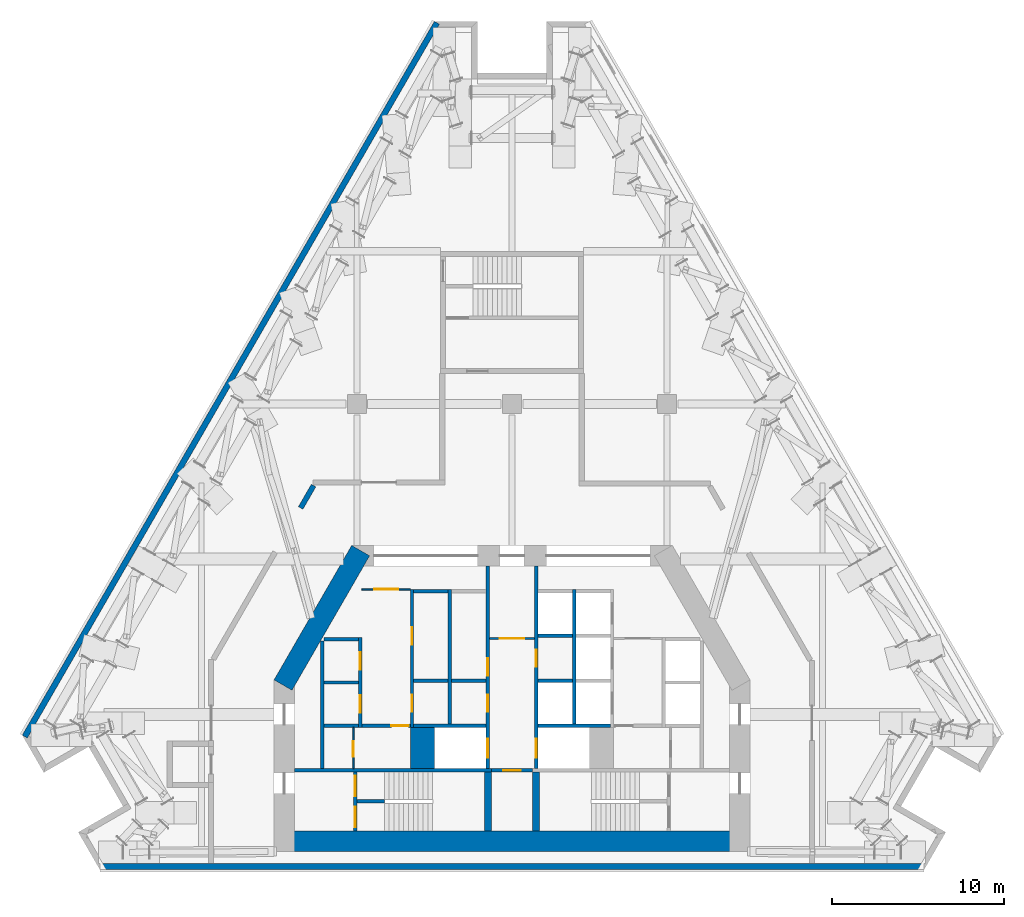
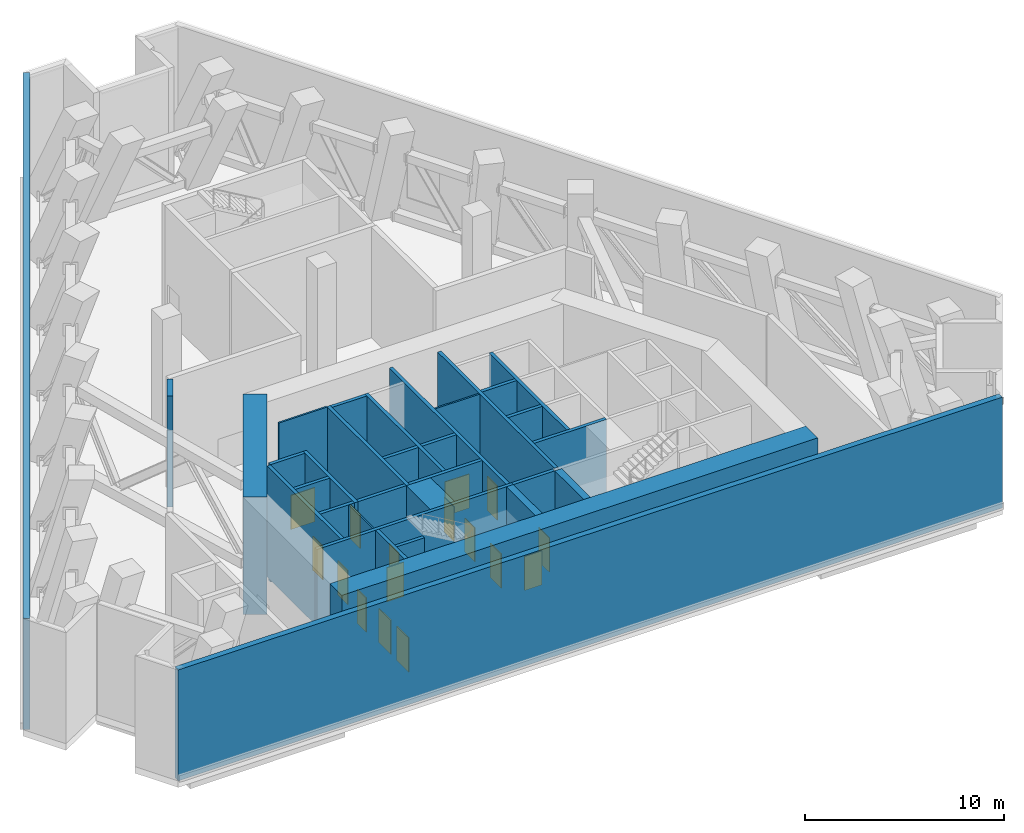
# One storey, part 6 of 13: 33 walls, 16 doors, 16 openings.
"""IFC4 building model written with IfcOpenShell, lengths in metres."""

from ifc_helpers import new_model, si_unit, direction, frame, frame_2d, origin, place, context, subcontext, project, spatial, rectangle, extrude, material, layer, layer_set, type_object, element, fill, save


model = new_model("IFC4")

# Units and contexts
model_context = context("Model", 3, precision=1e-05, world=origin(), true_north=direction((0.0, 1.0)))
body_context = subcontext(model_context, "Body", "Model", "MODEL_VIEW")
ifc_project = project(units=[si_unit("LENGTHUNIT", "METRE"), si_unit("AREAUNIT", "SQUARE_METRE"), si_unit("VOLUMEUNIT", "CUBIC_METRE"), si_unit("PLANEANGLEUNIT", "RADIAN"), si_unit("MASSUNIT", "GRAM", prefix="KILO")], contexts=[model_context])

# Site, building, storey
site_placement = place(None, origin())
site = spatial("IfcSite", under=ifc_project, at=site_placement, CompositionType="ELEMENT")
building_placement = place(site_placement, origin())
building = spatial("IfcBuilding", under=site, at=building_placement, Name="Fogline Exchange Tower", CompositionType="ELEMENT")
storey_placement = place(building_placement, frame((0.0, 0.0, 174.89990234375)))
storey = spatial("IfcBuildingStorey", under=building, at=storey_placement, Name="L39", CompositionType="ELEMENT", Elevation=174.89990234375)

# Wall, opening, door
ifc_material_1 = material(Name="Blockwork partition", Category="masonry")
ifc_layer_1 = layer(ifc_material_1, 0.10009765625)
ifc_layer_set_1 = layer_set([ifc_layer_1], Name="CW10")
wall_type_1 = type_object("IfcWallType", Name="CW10", PredefinedType="PARTITIONING", material=ifc_layer_set_1)
wall_1_placement = place(storey_placement, frame((-8.699951171875, 16.25, 0.0), z_axis=(0.0, 0.0, 1.0), x_axis=(1.0, 0.0, 0.0)))
wall_1 = element("IfcWall", 1, at=wall_1_placement, inside=storey, type_object=wall_type_1, Name="Lift lobby partition", PredefinedType="PARTITIONING", context=body_context, shape_type="SweptSolid", body=[
    extrude(rectangle(XDim=2.800048828125, YDim=0.10009765625, at=frame_2d((1.39990234375, 0.0))), origin(), (0.0, 0.0, 1.0), 6.800048828125),
])
opening_1_placement = place(wall_1_placement, frame((0.699951171875, 0.0, 0.0)))
opening_1 = element("IfcOpeningElement", 2, at=opening_1_placement, cuts=wall_1, Name="Opening L39-C009", PredefinedType="OPENING", context=body_context, shape_type="SweptSolid", body=[
    extrude(rectangle(XDim=1.39990234375, YDim=2.10009765625, at=frame_2d((0.699951171875, 1.050048828125))), frame((0.0, 0.06005859375, 0.0), z_axis=(0.0, -1.0, 0.0), x_axis=(1.0, 0.0, 0.0)), (0.0, 0.0, 1.0), 0.1201171875),
])
ifc_material_2 = material(Name="Steel and timber fire door", Category="steel")
door_type_1 = type_object("IfcDoorType", Name="D-LB1", OperationType="DOUBLE_DOOR_SINGLE_SWING", PredefinedType="DOOR", material=ifc_material_2)
door_1_placement = place(opening_1_placement, origin())
door_1 = element("IfcDoor", 3, at=door_1_placement, inside=storey, type_object=door_type_1, Name="Door to lift lobby", OperationType="DOUBLE_DOOR_SINGLE_SWING", OverallHeight=2.10009765625, OverallWidth=1.39990234375, PredefinedType="DOOR", context=body_context, shape_type="SweptSolid", body=[
    extrude(rectangle(XDim=1.39990234375, YDim=2.10009765625, at=frame_2d((0.699951171875, 1.050048828125))), frame((0.0, 0.02490234375, 0.0), z_axis=(0.0, -1.0, 0.0), x_axis=(1.0, 0.0, 0.0)), (0.0, 0.0, 1.0), 0.050048828125),
])
fill(opening_1, door_1)

wall_2_placement = place(storey_placement, frame((-9.199951171875, 5.85009765625, 0.0), z_axis=(0.0, 0.0, 1.0), x_axis=(0.0, 1.0, 0.0)))
wall_2 = element("IfcWall", 4, at=wall_2_placement, inside=storey, type_object=wall_type_1, Name="WC partition", PredefinedType="PARTITIONING", context=body_context, shape_type="SweptSolid", body=[
    extrude(rectangle(XDim=2.39990234375, YDim=0.10009765625, at=frame_2d((1.199951171875, 0.0))), origin(), (0.0, 0.0, 1.0), 6.800048828125),
])
opening_2_placement = place(wall_2_placement, frame((0.699951171875, 0.0, 0.0)))
opening_2 = element("IfcOpeningElement", 5, at=opening_2_placement, cuts=wall_2, Name="Opening L39-C011", PredefinedType="OPENING", context=body_context, shape_type="SweptSolid", body=[
    extrude(rectangle(XDim=0.89990234375, YDim=2.10009765625, at=frame_2d((0.449951171875, 1.050048828125))), frame((0.0, 0.06005859375, 0.0), z_axis=(0.0, -1.0, 0.0), x_axis=(1.0, 0.0, 0.0)), (0.0, 0.0, 1.0), 0.1201171875),
])
door_type_2 = type_object("IfcDoorType", Name="D-CS1", OperationType="SINGLE_SWING_RIGHT", PredefinedType="DOOR", material=ifc_material_2)
door_2_placement = place(opening_2_placement, origin())
door_2 = element("IfcDoor", 6, at=door_2_placement, inside=storey, type_object=door_type_2, Name="Door to Plumbing Plant Room", OperationType="SINGLE_SWING_LEFT", OverallHeight=2.10009765625, OverallWidth=0.89990234375, PredefinedType="DOOR", context=body_context, shape_type="SweptSolid", body=[
    extrude(rectangle(XDim=0.89990234375, YDim=2.10009765625, at=frame_2d((0.449951171875, 1.050048828125))), frame((0.0, 0.02490234375, 0.0), z_axis=(0.0, -1.0, 0.0), x_axis=(1.0, 0.0, 0.0)), (0.0, 0.0, 1.0), 0.050048828125),
])
fill(opening_2, door_2)

wall_3_placement = place(storey_placement, frame((-1.300048828125, 13.39990234375, 0.0), z_axis=(0.0, 0.0, 1.0), x_axis=(1.0, 0.0, 0.0)))
wall_3 = element("IfcWall", 7, at=wall_3_placement, inside=storey, type_object=wall_type_1, Name="Lift lobby partition", PredefinedType="PARTITIONING", context=body_context, shape_type="SweptSolid", body=[
    extrude(rectangle(XDim=2.60009765625, YDim=0.10009765625, at=frame_2d((1.300048828125, 0.0))), origin(), (0.0, 0.0, 1.0), 6.800048828125),
])
opening_3_placement = place(wall_3_placement, frame((0.60009765625, 0.0, 0.0)))
opening_3 = element("IfcOpeningElement", 8, at=opening_3_placement, cuts=wall_3, Name="Opening L39-C021", PredefinedType="OPENING", context=body_context, shape_type="SweptSolid", body=[
    extrude(rectangle(XDim=1.39990234375, YDim=2.10009765625, at=frame_2d((0.699951171875, 1.050048828125))), frame((0.0, 0.06005859375, 0.0), z_axis=(0.0, -1.0, 0.0), x_axis=(1.0, 0.0, 0.0)), (0.0, 0.0, 1.0), 0.1201171875),
])
door_3_placement = place(opening_3_placement, origin())
door_3 = element("IfcDoor", 9, at=door_3_placement, inside=storey, type_object=door_type_1, Name="Door to firefighting lift lobby", OperationType="DOUBLE_DOOR_SINGLE_SWING", OverallHeight=2.10009765625, OverallWidth=1.39990234375, PredefinedType="DOOR", context=body_context, shape_type="SweptSolid", body=[
    extrude(rectangle(XDim=1.39990234375, YDim=2.10009765625, at=frame_2d((0.699951171875, 1.050048828125))), frame((0.0, 0.02490234375, 0.0), z_axis=(0.0, -1.0, 0.0), x_axis=(1.0, 0.0, 0.0)), (0.0, 0.0, 1.0), 0.050048828125),
])
fill(opening_3, door_3)

# Walls
ifc_material_3 = material(Name="Concrete C60", Category="concrete")
ifc_layer_2 = layer(ifc_material_3, 1.39990234375)
ifc_layer_set_2 = layer_set([ifc_layer_2], Name="CW140")
wall_type_2 = type_object("IfcWallType", Name="CW140", PredefinedType="SOLIDWALL", material=ifc_layer_set_2)
wall_4_placement = place(storey_placement, frame((-5.199951171875, 5.85009765625, -0.39990234375), z_axis=(0.0, 0.0, 1.0), x_axis=(0.0, 1.0, 0.0)))
element("IfcWall", 10, at=wall_4_placement, inside=storey, type_object=wall_type_2, Name="Lift shaft block wall", PredefinedType="SOLIDWALL", context=body_context, shape_type="SweptSolid", body=[
    extrude(rectangle(XDim=2.39990234375, YDim=1.39990234375, at=frame_2d((1.199951171875, 0.0))), origin(), (0.0, 0.0, 1.0), 7.199951171875),
])
ifc_material_4 = material(Name="Concrete C40", Category="concrete")
ifc_layer_3 = layer(ifc_material_4, 0.199951171875)
ifc_layer_set_3 = layer_set([ifc_layer_3], Name="CW20")
wall_type_3 = type_object("IfcWallType", Name="CW20", PredefinedType="SOLIDWALL", material=ifc_layer_set_3)
wall_5_placement = place(storey_placement, frame((-11.0, 5.85009765625, 0.0), z_axis=(0.0, 0.0, 1.0), x_axis=(0.0, 1.0, 0.0)))
element("IfcWall", 11, at=wall_5_placement, inside=storey, type_object=wall_type_3, Name="Service room wall", PredefinedType="SOLIDWALL", context=body_context, shape_type="SweptSolid", body=[
    extrude(rectangle(XDim=7.39990234375, YDim=0.199951171875, at=frame_2d((3.699951171875, 0.0))), origin(), (0.0, 0.0, 1.0), 6.800048828125),
])
for number, where, z_axis, x_axis, name in (
    (12, (-10.89990234375, 10.85009765625, 0.0), (0.0, 0.0, 1.0), (1.0, 0.0, 0.0), "Service room wall"),
    (13, (-5.699951171875, 10.949951171875, 0.0), (0.0, 0.0, 1.0), (1.0, 0.0, 0.0), "Service room wall"),
    (14, (-3.5, 10.949951171875, 0.0), (0.0, 0.0, 1.0), (1.0, 0.0, 0.0), "Service room wall"),
):
    element("IfcWall", number, at=place(storey_placement, frame(where, z_axis=z_axis, x_axis=x_axis)), inside=storey, type_object=wall_type_3, Name=name, PredefinedType="SOLIDWALL", context=body_context, shape_type="SweptSolid", body=[
        extrude(rectangle(XDim=2.0, YDim=0.199951171875, at=frame_2d((1.0, 0.0))), origin(), (0.0, 0.0, 1.0), 6.800048828125),
    ])

# Wall, opening, door
wall_6_placement = place(storey_placement, frame((-8.699951171875, 8.35009765625, 0.0), z_axis=(0.0, 0.0, 1.0), x_axis=(1.0, 0.0, 0.0)))
wall_6 = element("IfcWall", 15, at=wall_6_placement, inside=storey, type_object=wall_type_3, Name="WC wall", PredefinedType="SOLIDWALL", context=body_context, shape_type="SweptSolid", body=[
    extrude(rectangle(XDim=2.800048828125, YDim=0.199951171875, at=frame_2d((1.39990234375, 0.0))), origin(), (0.0, 0.0, 1.0), 6.800048828125),
])
opening_4_placement = place(wall_6_placement, frame((1.699951171875, 0.0, 0.0)))
opening_4 = element("IfcOpeningElement", 16, at=opening_4_placement, cuts=wall_6, Name="Opening L39-C010", PredefinedType="OPENING", context=body_context, shape_type="SweptSolid", body=[
    extrude(rectangle(XDim=1.0, YDim=2.10009765625, at=frame_2d((0.5, 1.050048828125))), frame((0.0, 0.10986328125, 0.0), z_axis=(0.0, -1.0, 0.0), x_axis=(1.0, 0.0, 0.0)), (0.0, 0.0, 1.0), 0.219970703125),
])
door_type_3 = type_object("IfcDoorType", Name="D-WC1", OperationType="SINGLE_SWING_LEFT", PredefinedType="DOOR", material=ifc_material_2)
door_4_placement = place(opening_4_placement, frame((1.0, 0.0, 0.0), z_axis=(0.0, 0.0, 1.0), x_axis=(-1.0, 0.0, 0.0)))
door_4 = element("IfcDoor", 17, at=door_4_placement, inside=storey, type_object=door_type_3, Name="Door to Men's WC", OperationType="SINGLE_SWING_LEFT", OverallHeight=2.10009765625, OverallWidth=1.0, PredefinedType="DOOR", context=body_context, shape_type="SweptSolid", body=[
    extrude(rectangle(XDim=1.0, YDim=2.10009765625, at=frame_2d((0.5, 1.050048828125))), frame((0.0, 0.02490234375, 0.0), z_axis=(0.0, -1.0, 0.0), x_axis=(1.0, 0.0, 0.0)), (0.0, 0.0, 1.0), 0.050048828125),
])
fill(opening_4, door_4)

# Walls
ifc_layer_4 = layer(ifc_material_4, 0.199951171875)
ifc_layer_set_4 = layer_set([ifc_layer_4], Name="CW20B")
wall_type_4 = type_object("IfcWallType", Name="CW20B", PredefinedType="SOLIDWALL", material=ifc_layer_set_4)
wall_7_placement = place(storey_placement, frame((-9.0, 3.949951171875, 0.0), z_axis=(0.0, 0.0, 1.0), x_axis=(1.0, 0.0, 0.0)))
element("IfcWall", 18, at=wall_7_placement, inside=storey, type_object=wall_type_4, Name="Stair separation wall", PredefinedType="SOLIDWALL", context=body_context, shape_type="SweptSolid", body=[
    extrude(rectangle(XDim=1.60009765625, YDim=0.199951171875, at=frame_2d((0.800048828125, 0.0))), origin(), (0.0, 0.0, 1.0), 6.800048828125),
])
ifc_layer_5 = layer(ifc_material_4, 0.199951171875)
ifc_layer_set_5 = layer_set([ifc_layer_5], Name="CW20R")
wall_type_5 = type_object("IfcWallType", Name="CW20R", PredefinedType="SOLIDWALL", material=ifc_layer_set_5)
wall_8_placement = place(storey_placement, frame((-12.60009765625, 5.75, -0.39990234375), z_axis=(0.0, 0.0, 1.0), x_axis=(1.0, 0.0, 0.0)))
element("IfcWall", 19, at=wall_8_placement, inside=storey, type_object=wall_type_5, Name="Stair enclosure wall", PredefinedType="SOLIDWALL", context=body_context, shape_type="SweptSolid", body=[
    extrude(rectangle(XDim=11.400146484375, YDim=0.199951171875, at=frame_2d((5.7001953125, 0.0))), origin(), (0.0, 0.0, 1.0), 7.199951171875),
])

# Wall, opening, door
wall_9_placement = place(storey_placement, frame((-1.199951171875, 5.75, -0.39990234375), z_axis=(0.0, 0.0, 1.0), x_axis=(1.0, 0.0, 0.0)))
wall_9 = element("IfcWall", 20, at=wall_9_placement, inside=storey, type_object=wall_type_5, Name="Stair enclosure wall", PredefinedType="SOLIDWALL", context=body_context, shape_type="SweptSolid", body=[
    extrude(rectangle(XDim=2.39990234375, YDim=0.199951171875, at=frame_2d((1.199951171875, 0.0))), origin(), (0.0, 0.0, 1.0), 7.199951171875),
])
opening_5_placement = place(wall_9_placement, frame((0.699951171875, 0.0, 0.39990234375)))
opening_5 = element("IfcOpeningElement", 21, at=opening_5_placement, cuts=wall_9, Name="Opening L39-C008", PredefinedType="OPENING", context=body_context, shape_type="SweptSolid", body=[
    extrude(rectangle(XDim=1.0, YDim=2.10009765625, at=frame_2d((0.5, 1.050048828125))), frame((0.0, 0.10986328125, 0.0), z_axis=(0.0, -1.0, 0.0), x_axis=(1.0, 0.0, 0.0)), (0.0, 0.0, 1.0), 0.219970703125),
])
door_type_4 = type_object("IfcDoorType", Name="D-RM1", OperationType="SINGLE_SWING_LEFT", PredefinedType="DOOR", material=ifc_material_2)
door_5_placement = place(opening_5_placement, frame((1.0, 0.0, 0.0), z_axis=(0.0, 0.0, 1.0), x_axis=(-1.0, 0.0, 0.0)))
door_5 = element("IfcDoor", 22, at=door_5_placement, inside=storey, type_object=door_type_4, Name="Door to Pump Plant Room", OperationType="SINGLE_SWING_RIGHT", OverallHeight=2.10009765625, OverallWidth=1.0, PredefinedType="DOOR", context=body_context, shape_type="SweptSolid", body=[
    extrude(rectangle(XDim=1.0, YDim=2.10009765625, at=frame_2d((0.5, 1.050048828125))), frame((0.0, 0.02490234375, 0.0), z_axis=(0.0, -1.0, 0.0), x_axis=(1.0, 0.0, 0.0)), (0.0, 0.0, 1.0), 0.050048828125),
])
fill(opening_5, door_5)

# Wall, openings, doors
wall_10_placement = place(storey_placement, frame((-9.10009765625, 2.25, -0.39990234375), z_axis=(0.0, 0.0, 1.0), x_axis=(0.0, 1.0, 0.0)))
wall_10 = element("IfcWall", 23, at=wall_10_placement, inside=storey, type_object=wall_type_5, Name="Stair enclosure wall", PredefinedType="SOLIDWALL", context=body_context, shape_type="SweptSolid", body=[
    extrude(rectangle(XDim=3.39990234375, YDim=0.199951171875, at=frame_2d((1.699951171875, 0.0))), origin(), (0.0, 0.0, 1.0), 7.199951171875),
])
opening_6_placement = place(wall_10_placement, frame((0.199951171875, 0.0, 0.39990234375)))
opening_6 = element("IfcOpeningElement", 24, at=opening_6_placement, cuts=wall_10, Name="Opening L39-C013", PredefinedType="OPENING", context=body_context, shape_type="SweptSolid", body=[
    extrude(rectangle(XDim=1.199951171875, YDim=2.10009765625, at=frame_2d((0.60009765625, 1.050048828125))), frame((0.0, 0.10986328125, 0.0), z_axis=(0.0, -1.0, 0.0), x_axis=(1.0, 0.0, 0.0)), (0.0, 0.0, 1.0), 0.219970703125),
])
opening_7_placement = place(wall_10_placement, frame((2.0, 0.0, 0.39990234375)))
opening_7 = element("IfcOpeningElement", 25, at=opening_7_placement, cuts=wall_10, Name="Opening L39-C025", PredefinedType="OPENING", context=body_context, shape_type="SweptSolid", body=[
    extrude(rectangle(XDim=1.199951171875, YDim=2.10009765625, at=frame_2d((0.60009765625, 1.050048828125))), frame((0.0, 0.10986328125, 0.0), z_axis=(0.0, -1.0, 0.0), x_axis=(1.0, 0.0, 0.0)), (0.0, 0.0, 1.0), 0.219970703125),
])
door_type_5 = type_object("IfcDoorType", Name="D-ST1", OperationType="SINGLE_SWING_LEFT", PredefinedType="DOOR", material=ifc_material_2)
door_6_placement = place(opening_6_placement, frame((1.199951171875, 0.0, 0.0), z_axis=(0.0, 0.0, 1.0), x_axis=(-1.0, 0.0, 0.0)))
door_6 = element("IfcDoor", 26, at=door_6_placement, inside=storey, type_object=door_type_5, Name="Stair door ST1", OperationType="SINGLE_SWING_RIGHT", OverallHeight=2.10009765625, OverallWidth=1.199951171875, PredefinedType="DOOR", context=body_context, shape_type="SweptSolid", body=[
    extrude(rectangle(XDim=1.199951171875, YDim=2.10009765625, at=frame_2d((0.60009765625, 1.050048828125))), frame((0.0, 0.02490234375, 0.0), z_axis=(0.0, -1.0, 0.0), x_axis=(1.0, 0.0, 0.0)), (0.0, 0.0, 1.0), 0.050048828125),
])
fill(opening_6, door_6)
door_7_placement = place(opening_7_placement, origin())
door_7 = element("IfcDoor", 27, at=door_7_placement, inside=storey, type_object=door_type_5, Name="Stair arrival door ST1", OperationType="SINGLE_SWING_RIGHT", OverallHeight=2.10009765625, OverallWidth=1.199951171875, PredefinedType="DOOR", context=body_context, shape_type="SweptSolid", body=[
    extrude(rectangle(XDim=1.199951171875, YDim=2.10009765625, at=frame_2d((0.60009765625, 1.050048828125))), frame((0.0, 0.02490234375, 0.0), z_axis=(0.0, -1.0, 0.0), x_axis=(1.0, 0.0, 0.0)), (0.0, 0.0, 1.0), 0.050048828125),
])
fill(opening_7, door_7)

ifc_layer_6 = layer(ifc_material_4, 0.199951171875)
ifc_layer_set_6 = layer_set([ifc_layer_6], Name="CW20S")
wall_type_6 = type_object("IfcWallType", Name="CW20S", PredefinedType="SOLIDWALL", material=ifc_layer_set_6)
wall_11_placement = place(storey_placement, frame((-8.800048828125, 8.25, -0.39990234375), z_axis=(0.0, 0.0, 1.0), x_axis=(0.0, 1.0, 0.0)))
wall_11 = element("IfcWall", 28, at=wall_11_placement, inside=storey, type_object=wall_type_6, Name="Lift shaft wall", PredefinedType="SOLIDWALL", context=body_context, shape_type="SweptSolid", body=[
    extrude(rectangle(XDim=5.199951171875, YDim=0.199951171875, at=frame_2d((2.60009765625, 0.0))), origin(), (0.0, 0.0, 1.0), 7.199951171875),
])
opening_8_placement = place(wall_11_placement, frame((0.85009765625, 0.0, 0.39990234375)))
opening_8 = element("IfcOpeningElement", 29, at=opening_8_placement, cuts=wall_11, Name="Opening L39-C001", PredefinedType="OPENING", context=body_context, shape_type="SweptSolid", body=[
    extrude(rectangle(XDim=1.0, YDim=2.10009765625, at=frame_2d((0.5, 1.050048828125))), frame((0.0, 0.10986328125, 0.0), z_axis=(0.0, -1.0, 0.0), x_axis=(1.0, 0.0, 0.0)), (0.0, 0.0, 1.0), 0.219970703125),
])
opening_9_placement = place(wall_11_placement, frame((3.35009765625, 0.0, 0.39990234375)))
opening_9 = element("IfcOpeningElement", 30, at=opening_9_placement, cuts=wall_11, Name="Opening L39-C002", PredefinedType="OPENING", context=body_context, shape_type="SweptSolid", body=[
    extrude(rectangle(XDim=1.0, YDim=2.10009765625, at=frame_2d((0.5, 1.050048828125))), frame((0.0, 0.10986328125, 0.0), z_axis=(0.0, -1.0, 0.0), x_axis=(1.0, 0.0, 0.0)), (0.0, 0.0, 1.0), 0.219970703125),
])
door_8_placement = place(opening_8_placement, origin())
door_8 = element("IfcDoor", 31, at=door_8_placement, inside=storey, type_object=door_type_4, Name="Door to AHU Room", OperationType="SINGLE_SWING_RIGHT", OverallHeight=2.10009765625, OverallWidth=1.0, PredefinedType="DOOR", context=body_context, shape_type="SweptSolid", body=[
    extrude(rectangle(XDim=1.0, YDim=2.10009765625, at=frame_2d((0.5, 1.050048828125))), frame((0.0, 0.02490234375, 0.0), z_axis=(0.0, -1.0, 0.0), x_axis=(1.0, 0.0, 0.0)), (0.0, 0.0, 1.0), 0.050048828125),
])
fill(opening_8, door_8)
door_9_placement = place(opening_9_placement, origin())
door_9 = element("IfcDoor", 32, at=door_9_placement, inside=storey, type_object=door_type_4, Name="Door to Transformer Room", OperationType="SINGLE_SWING_RIGHT", OverallHeight=2.10009765625, OverallWidth=1.0, PredefinedType="DOOR", context=body_context, shape_type="SweptSolid", body=[
    extrude(rectangle(XDim=1.0, YDim=2.10009765625, at=frame_2d((0.5, 1.050048828125))), frame((0.0, 0.02490234375, 0.0), z_axis=(0.0, -1.0, 0.0), x_axis=(1.0, 0.0, 0.0)), (0.0, 0.0, 1.0), 0.050048828125),
])
fill(opening_9, door_9)

wall_12_placement = place(storey_placement, frame((-5.800048828125, 8.25, -0.39990234375), z_axis=(0.0, 0.0, 1.0), x_axis=(0.0, 1.0, 0.0)))
wall_12 = element("IfcWall", 33, at=wall_12_placement, inside=storey, type_object=wall_type_6, Name="Lift shaft wall", PredefinedType="SOLIDWALL", context=body_context, shape_type="SweptSolid", body=[
    extrude(rectangle(XDim=8.0, YDim=0.199951171875, at=frame_2d((4.0, 0.0))), origin(), (0.0, 0.0, 1.0), 7.199951171875),
])
opening_10_placement = place(wall_12_placement, frame((0.89990234375, 0.0, 0.39990234375)))
opening_10 = element("IfcOpeningElement", 34, at=opening_10_placement, cuts=wall_12, Name="Opening L39-C003", PredefinedType="OPENING", context=body_context, shape_type="SweptSolid", body=[
    extrude(rectangle(XDim=1.0, YDim=2.10009765625, at=frame_2d((0.5, 1.050048828125))), frame((0.0, 0.10986328125, 0.0), z_axis=(0.0, -1.0, 0.0), x_axis=(1.0, 0.0, 0.0)), (0.0, 0.0, 1.0), 0.219970703125),
])
opening_11_placement = place(wall_12_placement, frame((4.800048828125, 0.0, 0.39990234375)))
opening_11 = element("IfcOpeningElement", 35, at=opening_11_placement, cuts=wall_12, Name="Opening L39-C004", PredefinedType="OPENING", context=body_context, shape_type="SweptSolid", body=[
    extrude(rectangle(XDim=1.0, YDim=2.10009765625, at=frame_2d((0.5, 1.050048828125))), frame((0.0, 0.10986328125, 0.0), z_axis=(0.0, -1.0, 0.0), x_axis=(1.0, 0.0, 0.0)), (0.0, 0.0, 1.0), 0.219970703125),
])
door_10_placement = place(opening_10_placement, frame((1.0, 0.0, 0.0), z_axis=(0.0, 0.0, 1.0), x_axis=(-1.0, 0.0, 0.0)))
door_10 = element("IfcDoor", 36, at=door_10_placement, inside=storey, type_object=door_type_4, Name="Door to Switch Room", OperationType="SINGLE_SWING_LEFT", OverallHeight=2.10009765625, OverallWidth=1.0, PredefinedType="DOOR", context=body_context, shape_type="SweptSolid", body=[
    extrude(rectangle(XDim=1.0, YDim=2.10009765625, at=frame_2d((0.5, 1.050048828125))), frame((0.0, 0.02490234375, 0.0), z_axis=(0.0, -1.0, 0.0), x_axis=(1.0, 0.0, 0.0)), (0.0, 0.0, 1.0), 0.050048828125),
])
fill(opening_10, door_10)
door_11_placement = place(opening_11_placement, frame((1.0, 0.0, 0.0), z_axis=(0.0, 0.0, 1.0), x_axis=(-1.0, 0.0, 0.0)))
door_11 = element("IfcDoor", 37, at=door_11_placement, inside=storey, type_object=door_type_4, Name="Door to Mechanical Plant Room", OperationType="SINGLE_SWING_RIGHT", OverallHeight=2.10009765625, OverallWidth=1.0, PredefinedType="DOOR", context=body_context, shape_type="SweptSolid", body=[
    extrude(rectangle(XDim=1.0, YDim=2.10009765625, at=frame_2d((0.5, 1.050048828125))), frame((0.0, 0.02490234375, 0.0), z_axis=(0.0, -1.0, 0.0), x_axis=(1.0, 0.0, 0.0)), (0.0, 0.0, 1.0), 0.050048828125),
])
fill(opening_11, door_11)

# Walls
for number, where, z_axis, x_axis, name in (
    (38, (-3.60009765625, 8.449951171875, -0.39990234375), (0.0, 0.0, 1.0), (0.0, 1.0, 0.0), "Lift shaft wall"),
    (39, (3.60009765625, 8.449951171875, -0.39990234375), (0.0, 0.0, 1.0), (0.0, 1.0, 0.0), "Lift shaft wall"),
):
    element("IfcWall", number, at=place(storey_placement, frame(where, z_axis=z_axis, x_axis=x_axis)), inside=storey, type_object=wall_type_6, Name=name, PredefinedType="SOLIDWALL", context=body_context, shape_type="SweptSolid", body=[
        extrude(rectangle(XDim=7.800048828125, YDim=0.199951171875, at=frame_2d((3.89990234375, 0.0))), origin(), (0.0, 0.0, 1.0), 7.199951171875),
    ])

# Wall, openings, doors
wall_13_placement = place(storey_placement, frame((-1.39990234375, 5.85009765625, -0.39990234375), z_axis=(0.0, 0.0, 1.0), x_axis=(0.0, 1.0, 0.0)))
wall_13 = element("IfcWall", 40, at=wall_13_placement, inside=storey, type_object=wall_type_6, Name="Lift lobby wall", PredefinedType="SOLIDWALL", context=body_context, shape_type="SweptSolid", body=[
    extrude(rectangle(XDim=11.75, YDim=0.199951171875, at=frame_2d((5.875, 0.0))), origin(), (0.0, 0.0, 1.0), 7.199951171875),
])
opening_12_placement = place(wall_13_placement, frame((0.64990234375, 0.0, 0.39990234375)))
opening_12 = element("IfcOpeningElement", 41, at=opening_12_placement, cuts=wall_13, Name="Opening L39-LD01", PredefinedType="OPENING", context=body_context, shape_type="SweptSolid", body=[
    extrude(rectangle(XDim=1.10009765625, YDim=2.10009765625, at=frame_2d((0.550048828125, 1.050048828125))), frame((0.0, 0.10986328125, 0.0), z_axis=(0.0, -1.0, 0.0), x_axis=(1.0, 0.0, 0.0)), (0.0, 0.0, 1.0), 0.219970703125),
])
opening_13_placement = place(wall_13_placement, frame((3.300048828125, 0.0, 0.39990234375)))
opening_13 = element("IfcOpeningElement", 42, at=opening_13_placement, cuts=wall_13, Name="Opening L39-C005", PredefinedType="OPENING", context=body_context, shape_type="SweptSolid", body=[
    extrude(rectangle(XDim=1.0, YDim=2.10009765625, at=frame_2d((0.5, 1.050048828125))), frame((0.0, 0.10986328125, 0.0), z_axis=(0.0, -1.0, 0.0), x_axis=(1.0, 0.0, 0.0)), (0.0, 0.0, 1.0), 0.219970703125),
])
opening_14_placement = place(wall_13_placement, frame((5.39990234375, 0.0, 0.39990234375)))
opening_14 = element("IfcOpeningElement", 43, at=opening_14_placement, cuts=wall_13, Name="Opening L39-C006", PredefinedType="OPENING", context=body_context, shape_type="SweptSolid", body=[
    extrude(rectangle(XDim=1.0, YDim=2.10009765625, at=frame_2d((0.5, 1.050048828125))), frame((0.0, 0.10986328125, 0.0), z_axis=(0.0, -1.0, 0.0), x_axis=(1.0, 0.0, 0.0)), (0.0, 0.0, 1.0), 0.219970703125),
])
door_12_placement = place(opening_13_placement, origin())
door_12 = element("IfcDoor", 44, at=door_12_placement, inside=storey, type_object=door_type_4, Name="Door to Plumbing Plant Room", OperationType="SINGLE_SWING_LEFT", OverallHeight=2.10009765625, OverallWidth=1.0, PredefinedType="DOOR", context=body_context, shape_type="SweptSolid", body=[
    extrude(rectangle(XDim=1.0, YDim=2.10009765625, at=frame_2d((0.5, 1.050048828125))), frame((0.0, 0.02490234375, 0.0), z_axis=(0.0, -1.0, 0.0), x_axis=(1.0, 0.0, 0.0)), (0.0, 0.0, 1.0), 0.050048828125),
])
fill(opening_13, door_12)
door_13_placement = place(opening_14_placement, origin())
door_13 = element("IfcDoor", 45, at=door_13_placement, inside=storey, type_object=door_type_4, Name="Door to Pump Plant Room", OperationType="SINGLE_SWING_LEFT", OverallHeight=2.10009765625, OverallWidth=1.0, PredefinedType="DOOR", context=body_context, shape_type="SweptSolid", body=[
    extrude(rectangle(XDim=1.0, YDim=2.10009765625, at=frame_2d((0.5, 1.050048828125))), frame((0.0, 0.02490234375, 0.0), z_axis=(0.0, -1.0, 0.0), x_axis=(1.0, 0.0, 0.0)), (0.0, 0.0, 1.0), 0.050048828125),
])
fill(opening_14, door_13)
door_type_6 = type_object("IfcDoorType", Name="LD2", OperationType="SLIDING_TO_RIGHT", PredefinedType="DOOR", material=ifc_material_2)
door_14_placement = place(opening_12_placement, origin())
door_14 = element("IfcDoor", 46, at=door_14_placement, inside=storey, type_object=door_type_6, Name="Landing door FF1", OperationType="SLIDING_TO_RIGHT", OverallHeight=2.10009765625, OverallWidth=1.10009765625, PredefinedType="DOOR", context=body_context, shape_type="SweptSolid", body=[
    extrude(rectangle(XDim=1.10009765625, YDim=2.10009765625, at=frame_2d((0.550048828125, 1.050048828125))), frame((0.0, 0.02490234375, 0.0), z_axis=(0.0, -1.0, 0.0), x_axis=(1.0, 0.0, 0.0)), (0.0, 0.0, 1.0), 0.050048828125),
])
fill(opening_12, door_14)

wall_14_placement = place(storey_placement, frame((1.39990234375, 5.85009765625, -0.39990234375), z_axis=(0.0, 0.0, 1.0), x_axis=(0.0, 1.0, 0.0)))
wall_14 = element("IfcWall", 47, at=wall_14_placement, inside=storey, type_object=wall_type_6, Name="Lift lobby wall", PredefinedType="SOLIDWALL", context=body_context, shape_type="SweptSolid", body=[
    extrude(rectangle(XDim=11.75, YDim=0.199951171875, at=frame_2d((5.875, 0.0))), origin(), (0.0, 0.0, 1.0), 7.199951171875),
])
opening_15_placement = place(wall_14_placement, frame((0.64990234375, 0.0, 0.39990234375)))
opening_15 = element("IfcOpeningElement", 48, at=opening_15_placement, cuts=wall_14, Name="Opening L39-LD05", PredefinedType="OPENING", context=body_context, shape_type="SweptSolid", body=[
    extrude(rectangle(XDim=1.10009765625, YDim=2.10009765625, at=frame_2d((0.550048828125, 1.050048828125))), frame((0.0, 0.10986328125, 0.0), z_axis=(0.0, -1.0, 0.0), x_axis=(1.0, 0.0, 0.0)), (0.0, 0.0, 1.0), 0.219970703125),
])
opening_16_placement = place(wall_14_placement, frame((5.89990234375, 0.0, 0.39990234375)))
opening_16 = element("IfcOpeningElement", 49, at=opening_16_placement, cuts=wall_14, Name="Opening L39-C007", PredefinedType="OPENING", context=body_context, shape_type="SweptSolid", body=[
    extrude(rectangle(XDim=1.0, YDim=2.10009765625, at=frame_2d((0.5, 1.050048828125))), frame((0.0, 0.10986328125, 0.0), z_axis=(0.0, -1.0, 0.0), x_axis=(1.0, 0.0, 0.0)), (0.0, 0.0, 1.0), 0.219970703125),
])
door_15_placement = place(opening_16_placement, frame((1.0, 0.0, 0.0), z_axis=(0.0, 0.0, 1.0), x_axis=(-1.0, 0.0, 0.0)))
door_15 = element("IfcDoor", 50, at=door_15_placement, inside=storey, type_object=door_type_4, Name="Door to Transformer Room", OperationType="SINGLE_SWING_RIGHT", OverallHeight=2.10009765625, OverallWidth=1.0, PredefinedType="DOOR", context=body_context, shape_type="SweptSolid", body=[
    extrude(rectangle(XDim=1.0, YDim=2.10009765625, at=frame_2d((0.5, 1.050048828125))), frame((0.0, 0.02490234375, 0.0), z_axis=(0.0, -1.0, 0.0), x_axis=(1.0, 0.0, 0.0)), (0.0, 0.0, 1.0), 0.050048828125),
])
fill(opening_16, door_15)
door_16_placement = place(opening_15_placement, origin())
door_16 = element("IfcDoor", 51, at=door_16_placement, inside=storey, type_object=door_type_6, Name="Landing door FF2", OperationType="SLIDING_TO_RIGHT", OverallHeight=2.10009765625, OverallWidth=1.10009765625, PredefinedType="DOOR", context=body_context, shape_type="SweptSolid", body=[
    extrude(rectangle(XDim=1.10009765625, YDim=2.10009765625, at=frame_2d((0.550048828125, 1.050048828125))), frame((0.0, 0.02490234375, 0.0), z_axis=(0.0, -1.0, 0.0), x_axis=(1.0, 0.0, 0.0)), (0.0, 0.0, 1.0), 0.050048828125),
])
fill(opening_15, door_16)

# Walls
wall_15_placement = place(storey_placement, frame((-10.89990234375, 8.35009765625, -0.39990234375), z_axis=(0.0, 0.0, 1.0), x_axis=(1.0, 0.0, 0.0)))
element("IfcWall", 52, at=wall_15_placement, inside=storey, type_object=wall_type_6, Name="Lift shaft wall", PredefinedType="SOLIDWALL", context=body_context, shape_type="SweptSolid", body=[
    extrude(rectangle(XDim=2.0, YDim=0.199951171875, at=frame_2d((1.0, 0.0))), origin(), (0.0, 0.0, 1.0), 7.199951171875),
])
for number, where, z_axis, x_axis, name in (
    (53, (-5.699951171875, 8.35009765625, -0.39990234375), (0.0, 0.0, 1.0), (1.0, 0.0, 0.0), "Lift shaft wall"),
    (54, (1.5, 8.35009765625, -0.39990234375), (0.0, 0.0, 1.0), (1.0, 0.0, 0.0), "Lift shaft wall"),
):
    element("IfcWall", number, at=place(storey_placement, frame(where, z_axis=z_axis, x_axis=x_axis)), inside=storey, type_object=wall_type_6, Name=name, PredefinedType="SOLIDWALL", context=body_context, shape_type="SweptSolid", body=[
        extrude(rectangle(XDim=4.199951171875, YDim=0.199951171875, at=frame_2d((2.10009765625, 0.0))), origin(), (0.0, 0.0, 1.0), 7.199951171875),
    ])
for number, where, z_axis, x_axis, name in (
    (55, (-10.89990234375, 13.35009765625, -0.39990234375), (0.0, 0.0, 1.0), (1.0, 0.0, 0.0), "Lift shaft wall"),
    (56, (-5.699951171875, 16.14990234375, -0.39990234375), (0.0, 0.0, 1.0), (1.0, 0.0, 0.0), "Lift shaft wall"),
    (57, (1.5, 10.949951171875, -0.39990234375), (0.0, 0.0, 1.0), (1.0, 0.0, 0.0), "Lift shaft wall"),
    (58, (1.5, 13.550048828125, -0.39990234375), (0.0, 0.0, 1.0), (1.0, 0.0, 0.0), "Lift shaft wall"),
):
    element("IfcWall", number, at=place(storey_placement, frame(where, z_axis=z_axis, x_axis=x_axis)), inside=storey, type_object=wall_type_6, Name=name, PredefinedType="SOLIDWALL", context=body_context, shape_type="SweptSolid", body=[
        extrude(rectangle(XDim=2.0, YDim=0.199951171875, at=frame_2d((1.0, 0.0))), origin(), (0.0, 0.0, 1.0), 7.199951171875),
    ])
ifc_layer_7 = layer(ifc_material_4, 0.39990234375)
ifc_layer_set_7 = layer_set([ifc_layer_7], Name="CW40R")
wall_type_7 = type_object("IfcWallType", Name="CW40R", PredefinedType="SOLIDWALL", material=ifc_layer_set_7)
for number, where, z_axis, x_axis, name in (
    (59, (-1.39990234375, 2.25, -0.39990234375), (0.0, 0.0, 1.0), (0.0, 1.0, 0.0), "Stair and lift shaft wall"),
    (60, (1.39990234375, 2.25, -0.39990234375), (0.0, 0.0, 1.0), (0.0, 1.0, 0.0), "Stair and lift shaft wall"),
):
    element("IfcWall", number, at=place(storey_placement, frame(where, z_axis=z_axis, x_axis=x_axis)), inside=storey, type_object=wall_type_7, Name=name, PredefinedType="SOLIDWALL", context=body_context, shape_type="SweptSolid", body=[
        extrude(rectangle(XDim=3.39990234375, YDim=0.39990234375, at=frame_2d((1.699951171875, 0.0))), origin(), (0.0, 0.0, 1.0), 7.199951171875),
    ])
ifc_material_5 = material(Name="Brick masonry", Category="masonry")
ifc_layer_8 = layer(ifc_material_5, 0.340087890625)
ifc_layer_set_8 = layer_set([ifc_layer_8], Name="FW3")
wall_type_8 = type_object("IfcWallType", Name="FW3", PredefinedType="SOLIDWALL", material=ifc_layer_set_8)
wall_16_placement = place(storey_placement, frame((-23.90380859375, 0.169921875, 0.0), z_axis=(0.0, 0.0, 1.0), x_axis=(1.0, 0.0, 0.0)))
element("IfcWall", 61, at=wall_16_placement, inside=storey, type_object=wall_type_8, Name="Brick wall L39 S", PredefinedType="SOLIDWALL", context=body_context, shape_type="SweptSolid", body=[
    extrude(rectangle(XDim=47.8076171875, YDim=0.340087890625, at=frame_2d((23.90380859375, 0.0))), origin(), (0.0, 0.0, 1.0), 6.800048828125),
])
wall_17_placement = place(storey_placement, frame((-4.352783203125, 49.111572265625, 0.0), z_axis=(0.0, 0.0, 1.0), x_axis=(-0.500002420408, -0.866024006357, 0.0)))
element("IfcWall", 62, at=wall_17_placement, inside=storey, type_object=wall_type_8, Name="Brick wall L39 W", PredefinedType="SOLIDWALL", context=body_context, shape_type="SweptSolid", body=[
    extrude(rectangle(XDim=47.807373046875, YDim=0.340087890625, at=frame_2d((23.90380859375, 0.0))), origin(), (0.0, 0.0, 1.0), 6.800048828125),
])
ifc_layer_9 = layer(ifc_material_4, 0.300048828125)
ifc_layer_set_9 = layer_set([ifc_layer_9], Name="PP4")
wall_type_9 = type_object("IfcWallType", Name="PP4", PredefinedType="SOLIDWALL", material=ifc_layer_set_9)
wall_18_placement = place(storey_placement, frame((-12.256591796875, 20.972412109375, 0.0), z_axis=(0.0, 0.0, 1.0), x_axis=(0.500074377092, 0.865982457891, 0.0)))
element("IfcWall", 63, at=wall_18_placement, inside=storey, type_object=wall_type_9, Name="PP4 partition", PredefinedType="SOLIDWALL", context=body_context, shape_type="SweptSolid", body=[
    extrude(rectangle(XDim=1.501220703125, YDim=0.300048828125, at=frame_2d((0.75048828125, 0.0))), origin(), (0.0, 0.0, 1.0), 6.800048828125),
])
ifc_layer_10 = layer(ifc_material_3, 1.199951171875)
ifc_layer_set_10 = layer_set([ifc_layer_10], Name="SW02")
wall_type_10 = type_object("IfcWallType", Name="SW02", PredefinedType="SHEAR", material=ifc_layer_set_10)
wall_19_placement = place(storey_placement, frame((-13.800048828125, 1.64990234375, 0.0), z_axis=(0.0, 0.0, 1.0), x_axis=(1.0, 0.0, 0.0)))
element("IfcWall", 64, at=wall_19_placement, inside=storey, type_object=wall_type_10, Name="L39-W901", PredefinedType="SHEAR", context=body_context, shape_type="SweptSolid", body=[
    extrude(rectangle(XDim=27.60009765625, YDim=1.199951171875, at=frame_2d((13.800048828125, 0.0))), origin(), (0.0, 0.0, 1.0), 7.2001953125),
])
wall_20_placement = place(storey_placement, frame((-8.776611328125, 18.5, 0.0), z_axis=(0.0, 0.0, 1.0), x_axis=(-0.499998513025, -0.866026262288, 0.0)))
element("IfcWall", 65, at=wall_20_placement, inside=storey, type_object=wall_type_10, Name="L39-W905", PredefinedType="SHEAR", context=body_context, shape_type="SweptSolid", body=[
    extrude(rectangle(XDim=9.0078125, YDim=1.199951171875, at=frame_2d((4.50390625, 0.0))), origin(), (0.0, 0.0, 1.0), 7.2001953125),
])

save(model, "model.ifc")
